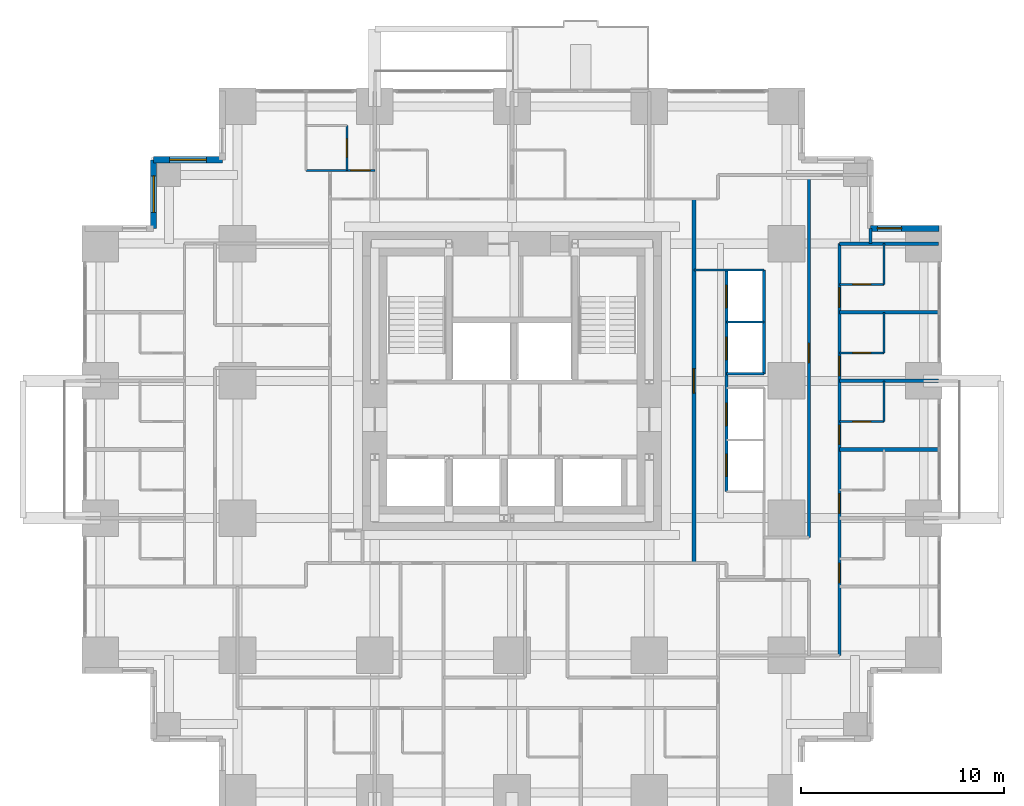
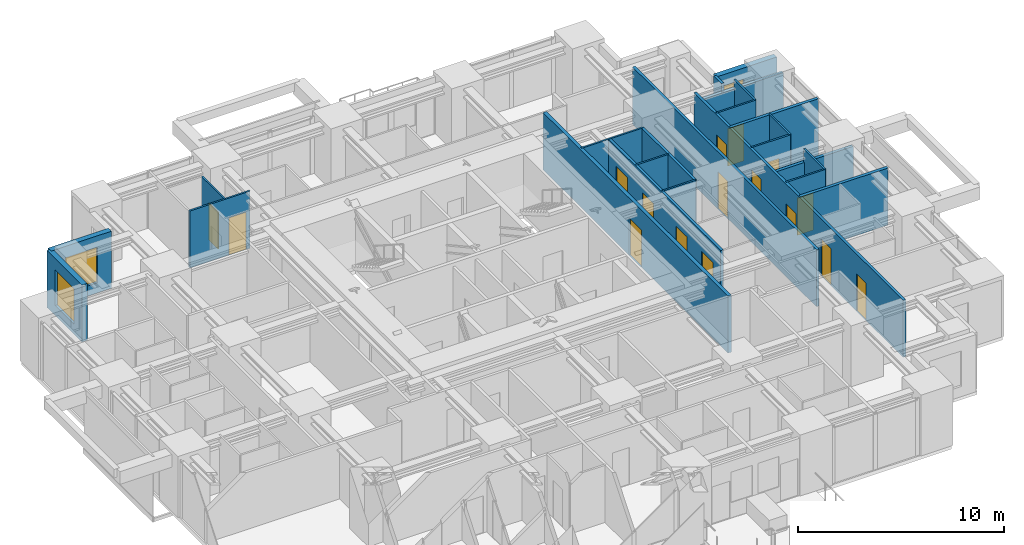
# One storey, part 10 of 12: 24 walls, 16 doors, 3 windows, 19 openings.
"""IFC4 building model written with IfcOpenShell, lengths in metres."""

import ifcopenshell
import ifcopenshell.guid

model = None  # the IFC model being written
_history = None  # IfcOwnerHistory: only IFC2X3 demands one
_inside = {}  # id of a spatial element -> (the spatial element, [elements in it])
_under = {}  # id of a project, library or spatial element -> (it, [spatial elements below it])
_declared = {}  # id of a project -> (the project, [libraries it declares])
_typed = {}  # id of a type object -> (the type object, [elements of that type])
_made_of = {}  # id of a material, layer set ... -> (it, [elements and type objects made of it])


def new_model(schema):
    """Start an empty IFC model of exactly this schema.

    Asked for "IFC4X3", IfcOpenShell would pick the latest addendum, in which some entities
    have other attributes; the version numbers below select the first issue.
    IFC2X3 requires an IfcOwnerHistory on every rooted entity: one is made here for all.
    """
    global model, _history
    if schema == "IFC4X3":
        model = ifcopenshell.file(schema_version=(4, 3, 0, 0))
    else:
        model = ifcopenshell.file(schema=schema)
    _inside.clear()
    _under.clear()
    _declared.clear()
    _typed.clear()
    _made_of.clear()
    _history = None
    if model.schema == "IFC2X3":
        org = make("IfcOrganization", Name="unknown")
        user = make(
            "IfcPersonAndOrganization",
            ThePerson=make("IfcPerson", FamilyName="unknown"),
            TheOrganization=org,
        )
        app = make(
            "IfcApplication",
            ApplicationDeveloper=org,
            Version="unknown",
            ApplicationFullName="unknown",
            ApplicationIdentifier="unknown",
        )
        _history = make(
            "IfcOwnerHistory",
            OwningUser=user,
            OwningApplication=app,
            ChangeAction="ADDED",
            CreationDate=0,
        )
    return model


def make(cls, **values):
    """One entity of the class cls with the attributes given. An attribute that is None is left unset."""
    return model.create_entity(
        cls, **{name: value for name, value in values.items() if value is not None}
    )


def rooted(cls, **values):
    """An entity with a GlobalId (a new one), such as an element, a storey or a relation."""
    return make(cls, GlobalId=ifcopenshell.guid.new(), OwnerHistory=_history, **values)


def si_unit(unit_type, name, prefix=None):
    """IfcSIUnit, for example si_unit("LENGTHUNIT", "METRE", prefix="MILLI")."""
    return make("IfcSIUnit", UnitType=unit_type, Prefix=prefix, Name=name)


def assignment(units):
    """IfcUnitAssignment: the units of a project."""
    return None if units is None else make("IfcUnitAssignment", Units=units)


def point(xyz):
    """IfcCartesianPoint."""
    return None if xyz is None else make("IfcCartesianPoint", Coordinates=xyz)


def direction(xyz):
    """IfcDirection."""
    return None if xyz is None else make("IfcDirection", DirectionRatios=xyz)


def frame(location, z_axis=None, x_axis=None):
    """IfcAxis2Placement3D, a coordinate frame: its origin and axes. An axis left out is left unset."""
    return make(
        "IfcAxis2Placement3D",
        Location=point(location),
        Axis=direction(z_axis),
        RefDirection=direction(x_axis),
    )


def frame_2d(location, x_axis=None):
    """IfcAxis2Placement2D, a coordinate frame in the plane: its origin and x axis."""
    return make(
        "IfcAxis2Placement2D", Location=point(location), RefDirection=direction(x_axis)
    )


def origin():
    """The frame at (0, 0, 0) with its axes left unset."""
    return frame((0.0, 0.0, 0.0))


def place(relative_to, where):
    """IfcLocalPlacement: puts the frame where relative to a parent placement (None: the world)."""
    return make(
        "IfcLocalPlacement", PlacementRelTo=relative_to, RelativePlacement=where
    )


def context(
    kind, dimensions, precision=None, world=None, true_north=None, identifier=None
):
    """IfcGeometricRepresentationContext, for example the 3D "Model" context."""
    return make(
        "IfcGeometricRepresentationContext",
        ContextIdentifier=identifier,
        ContextType=kind,
        CoordinateSpaceDimension=dimensions,
        Precision=precision,
        WorldCoordinateSystem=world,
        TrueNorth=true_north,
    )


def subcontext(parent, identifier, kind, view, scale=None):
    """IfcGeometricRepresentationSubContext, for example "Body" below "Model"."""
    return make(
        "IfcGeometricRepresentationSubContext",
        ContextIdentifier=identifier,
        ContextType=kind,
        ParentContext=parent,
        TargetScale=scale,
        TargetView=view,
    )


def project(units=None, contexts=None):
    """IfcProject with its units and contexts."""
    return rooted(
        "IfcProject",
        Name="project",
        RepresentationContexts=contexts,
        UnitsInContext=assignment(units),
    )


def spatial(cls, under=None, at=None, **own):
    """A site, building, storey or space (cls), placed at a placement, below another one or the project."""
    s = rooted(cls, ObjectPlacement=at, **own)
    if under is not None:
        _under.setdefault(under.id(), (under, []))[1].append(s)
    return s


def profile(cls, at=None, kind="AREA", **sizes):
    """A parametric profile (cls). Its sizes go by their IFC names, for example OverallWidth=200.0."""
    return make(cls, ProfileType=kind, Position=at, **sizes)


def rectangle(**sizes):
    """IfcRectangleProfileDef."""
    return profile("IfcRectangleProfileDef", **sizes)


def extrude(swept, where, along, depth):
    """IfcExtrudedAreaSolid: the profile swept, set in the frame where, extruded along a direction by depth."""
    return make(
        "IfcExtrudedAreaSolid",
        SweptArea=swept,
        Position=where,
        ExtrudedDirection=direction(along),
        Depth=depth,
    )


def shape(context_of_items, identifier, shape_type, items):
    """IfcShapeRepresentation: the items that make up one representation, for example the "Body"."""
    return make(
        "IfcShapeRepresentation",
        ContextOfItems=context_of_items,
        RepresentationIdentifier=identifier,
        RepresentationType=shape_type,
        Items=items,
    )


def material(Name=None, Category=None):
    """IfcMaterial."""
    return make("IfcMaterial", Name=Name, Category=Category)


def layer(
    of_material, thickness, ventilated=None, Name=None, Category=None, Priority=None
):
    """IfcMaterialLayer: one layer of a wall or slab, of a material (None: an air gap)."""
    return make(
        "IfcMaterialLayer",
        Material=of_material,
        LayerThickness=thickness,
        IsVentilated=ventilated,
        Name=Name,
        Category=Category,
        Priority=Priority,
    )


def layer_set(layers, Name=None):
    """IfcMaterialLayerSet."""
    return make("IfcMaterialLayerSet", MaterialLayers=layers, LayerSetName=Name)


def made_of(thing, what):
    """Note that an element or type object is made of a material, layer set ...; save() writes the relation."""
    if what is not None:
        _made_of.setdefault(what.id(), (what, []))[1].append(thing)
    return thing


def type_object(cls, material=None, **own):
    """A type object (cls), such as IfcWallType, which elements share."""
    return made_of(rooted(cls, **own), material)


def element(
    cls,
    number,
    at=None,
    inside=None,
    cuts=None,
    type_object=None,
    material=None,
    context=None,
    identifier="Body",
    shape_type=None,
    held_by="IfcProductDefinitionShape",
    body=None,
    shapes=None,
    **own,
):
    """One element of the class cls, such as IfcWall. Its Tag is "e" and its number.

    at: its placement. inside: the storey or other place that contains it. cuts: it is an
    opening in that element (IfcRelVoidsElement). A single representation is given by context,
    identifier, shape_type and body (its items); several are given by shapes. held_by: the class
    of the entity that holds the representations. save() writes the other relations.
    """
    e = rooted(cls, Tag="e%d" % number, ObjectPlacement=at, **own)
    if body is not None:
        shapes = [shape(context, identifier, shape_type, body)]
    if shapes is not None:
        e.Representation = make(held_by, Representations=shapes)
    if inside is not None:
        _inside.setdefault(inside.id(), (inside, []))[1].append(e)
    if cuts is not None:
        rooted(
            "IfcRelVoidsElement", RelatingBuildingElement=cuts, RelatedOpeningElement=e
        )
    if type_object is not None:
        _typed.setdefault(type_object.id(), (type_object, []))[1].append(e)
    return made_of(e, material)


def fill(opening, filler):
    """IfcRelFillsElement: the door or window that sits in an opening."""
    return rooted(
        "IfcRelFillsElement",
        RelatingOpeningElement=opening,
        RelatedBuildingElement=filler,
    )


def aggregate(whole, parts):
    """IfcRelAggregates: a whole, such as a stair, and the parts it consists of."""
    return rooted("IfcRelAggregates", RelatingObject=whole, RelatedObjects=parts)


def save(model, path):
    """Write the relations noted so far, then the file.

    IfcRelAggregates (storeys below a building ...), IfcRelContainedInSpatialStructure (elements
    in a storey), IfcRelDefinesByType, IfcRelAssociatesMaterial and IfcRelDeclares: one each for
    every whole, place, type object, material and project.
    """
    for whole, parts in _under.values():
        aggregate(whole, parts)
    for where, things in _inside.values():
        rooted(
            "IfcRelContainedInSpatialStructure",
            RelatedElements=things,
            RelatingStructure=where,
        )
    for kind, things in _typed.values():
        rooted("IfcRelDefinesByType", RelatedObjects=things, RelatingType=kind)
    for what, things in _made_of.values():
        rooted("IfcRelAssociatesMaterial", RelatedObjects=things, RelatingMaterial=what)
    for by, libraries in _declared.values():
        rooted("IfcRelDeclares", RelatingContext=by, RelatedDefinitions=libraries)
    model.write(path)


model = new_model("IFC4")

# Units and contexts
model_context = context("Model", 3, precision=1e-05, world=origin(), true_north=direction((0.0, 1.0)))
body_context = subcontext(model_context, "Body", "Model", "MODEL_VIEW")
ifc_project = project(units=[si_unit("LENGTHUNIT", "METRE"), si_unit("AREAUNIT", "SQUARE_METRE"), si_unit("VOLUMEUNIT", "CUBIC_METRE"), si_unit("PLANEANGLEUNIT", "RADIAN"), si_unit("MASSUNIT", "GRAM", prefix="KILO")], contexts=[model_context])

# Site, building, storey
site_placement = place(None, origin())
site = spatial("IfcSite", under=ifc_project, at=site_placement, CompositionType="ELEMENT")
building_placement = place(site_placement, origin())
building = spatial("IfcBuilding", under=site, at=building_placement, Name="Nyansa Garden Tower", CompositionType="ELEMENT")
storey_placement = place(building_placement, frame((0.0, 0.0, 98.10009765625)))
storey = spatial("IfcBuildingStorey", under=building, at=storey_placement, Name="L26", CompositionType="ELEMENT", Elevation=98.10009765625)

# Walls
ifc_material_1 = material(Name="Dense blockwork, plastered both sides, 55 dB", Category="masonry")
ifc_layer_1 = layer(ifc_material_1, 0.175048828125)
ifc_layer_set_1 = layer_set([ifc_layer_1], Name="Acoustic party wall PW175")
wall_type_1 = type_object("IfcWallType", Name="Acoustic party wall PW175", PredefinedType="PARTITIONING", material=ifc_layer_set_1)
wall_1_placement = place(storey_placement, frame((36.35009765625, 16.875, 0.0), z_axis=(0.0, 0.0, 1.0), x_axis=(1.0, 0.0, 0.0)))
element("IfcWall", 1, at=wall_1_placement, inside=storey, type_object=wall_type_1, Name="Party wall", PredefinedType="PARTITIONING", context=body_context, shape_type="SweptSolid", body=[
    extrude(rectangle(XDim=4.8837890625, YDim=0.175048828125, at=frame_2d((2.44189453125, 0.0))), origin(), (0.0, 0.0, 1.0), 3.375),
])
wall_2_placement = place(storey_placement, frame((36.35009765625, 20.25, 0.0), z_axis=(0.0, 0.0, 1.0), x_axis=(1.0, 0.0, 0.0)))
element("IfcWall", 2, at=wall_2_placement, inside=storey, type_object=wall_type_1, Name="Party wall", PredefinedType="PARTITIONING", context=body_context, shape_type="SweptSolid", body=[
    extrude(rectangle(XDim=4.8837890625, YDim=0.175048828125, at=frame_2d((2.44189453125, 0.0))), origin(), (0.0, 0.0, 1.0), 2.60986328125),
])
wall_3_placement = place(storey_placement, frame((36.35009765625, 23.625, 0.0), z_axis=(0.0, 0.0, 1.0), x_axis=(1.0, 0.0, 0.0)))
element("IfcWall", 3, at=wall_3_placement, inside=storey, type_object=wall_type_1, Name="Party wall", PredefinedType="PARTITIONING", context=body_context, shape_type="SweptSolid", body=[
    extrude(rectangle(XDim=4.8837890625, YDim=0.175048828125, at=frame_2d((2.44189453125, 0.0))), origin(), (0.0, 0.0, 1.0), 3.375),
])
wall_4_placement = place(storey_placement, frame((36.35009765625, 27.0, 0.0), z_axis=(0.0, 0.0, 1.0), x_axis=(1.0, 0.0, 0.0)))
element("IfcWall", 4, at=wall_4_placement, inside=storey, type_object=wall_type_1, Name="Party wall", PredefinedType="PARTITIONING", context=body_context, shape_type="SweptSolid", body=[
    extrude(rectangle(XDim=4.8837890625, YDim=0.175048828125, at=frame_2d((2.44189453125, 0.0))), origin(), (0.0, 0.0, 1.0), 2.876953125),
])

# Wall, opening, door
ifc_material_2 = material(Name="Concrete blockwork, plastered, 60 minute fire resisting", Category="masonry")
ifc_layer_2 = layer(ifc_material_2, 0.199951171875)
ifc_layer_set_2 = layer_set([ifc_layer_2], Name="Corridor wall FW200")
wall_type_2 = type_object("IfcWallType", Name="Corridor wall FW200", PredefinedType="PARTITIONING", material=ifc_layer_set_2)
wall_5_placement = place(storey_placement, frame((29.199951171875, 11.300048828125, 0.0), z_axis=(0.0, 0.0, 1.0), x_axis=(0.0, 1.0, 0.0)))
wall_5 = element("IfcWall", 5, at=wall_5_placement, inside=storey, type_object=wall_type_2, Name="Corridor wall", PredefinedType="PARTITIONING", context=body_context, shape_type="SweptSolid", body=[
    extrude(rectangle(XDim=17.89990234375, YDim=0.199951171875, at=frame_2d((8.949951171875, 0.0))), origin(), (0.0, 0.0, 1.0), 3.375),
])
opening_1_placement = place(wall_5_placement, frame((8.35009765625, 0.0, 0.0)))
opening_1 = element("IfcOpeningElement", 6, at=opening_1_placement, cuts=wall_5, Name="Opening D06", PredefinedType="OPENING", context=body_context, shape_type="SweptSolid", body=[
    extrude(rectangle(XDim=1.199951171875, YDim=2.199951171875, at=frame_2d((0.60009765625, 1.10009765625))), frame((0.0, 0.10986328125, 0.0), z_axis=(0.0, -1.0, 0.0), x_axis=(1.0, 0.0, 0.0)), (0.0, 0.0, 1.0), 0.219970703125),
])
ifc_material_3 = material(Name="Steel door, 120 minute fire resisting", Category="steel")
door_type_1 = type_object("IfcDoorType", Name="Lobby door D06 1200x2200", OperationType="DOUBLE_DOOR_SINGLE_SWING", PredefinedType="DOOR", material=ifc_material_3)
door_1_placement = place(opening_1_placement, origin())
door_1 = element("IfcDoor", 7, at=door_1_placement, inside=storey, type_object=door_type_1, Name="Low-rise lift lobby door", OperationType="DOUBLE_DOOR_SINGLE_SWING", OverallHeight=2.199951171875, OverallWidth=1.199951171875, PredefinedType="DOOR", context=body_context, shape_type="SweptSolid", body=[
    extrude(rectangle(XDim=1.199951171875, YDim=2.199951171875, at=frame_2d((0.60009765625, 1.10009765625))), frame((0.0, 0.02490234375, 0.0), z_axis=(0.0, -1.0, 0.0), x_axis=(1.0, 0.0, 0.0)), (0.0, 0.0, 1.0), 0.050048828125),
])
fill(opening_1, door_1)

# Walls
ifc_material_4 = material(Name="Steel-stud shaft wall, two layers fire-rated board, EI 120", Category="steel")
ifc_layer_3 = layer(ifc_material_4, 0.10009765625)
ifc_layer_set_3 = layer_set([ifc_layer_3], Name="Lift shaft wall SW100")
wall_type_3 = type_object("IfcWallType", Name="Lift shaft wall SW100", PredefinedType="SHEAR", material=ifc_layer_set_3)
wall_6_placement = place(storey_placement, frame((29.199951171875, 25.699951171875, 0.0), z_axis=(0.0, 0.0, 1.0), x_axis=(1.0, 0.0, 0.0)))
element("IfcWall", 8, at=wall_6_placement, inside=storey, type_object=wall_type_3, Name="Lift shaft wall", PredefinedType="SHEAR", context=body_context, shape_type="SweptSolid", body=[
    extrude(rectangle(XDim=3.449951171875, YDim=0.10009765625, at=frame_2d((1.72509765625, 0.0))), origin(), (0.0, 0.0, 1.0), 3.375),
])
for number, where, z_axis, x_axis, name in (
    (9, (30.800048828125, 20.60009765625, 0.0), (0.0, 0.0, 1.0), (1.0, 0.0, 0.0), "Lift shaft wall"),
    (10, (30.800048828125, 23.14990234375, 0.0), (0.0, 0.0, 1.0), (1.0, 0.0, 0.0), "Lift shaft wall"),
):
    element("IfcWall", number, at=place(storey_placement, frame(where, z_axis=z_axis, x_axis=x_axis)), inside=storey, type_object=wall_type_3, Name=name, PredefinedType="SHEAR", context=body_context, shape_type="SweptSolid", body=[
        extrude(rectangle(XDim=1.849853515625, YDim=0.10009765625, at=frame_2d((0.9248046875, 0.0))), origin(), (0.0, 0.0, 1.0), 3.375),
    ])

# Wall, openings, doors
ifc_material_5 = material(Name="Blockwork, plastered both sides", Category="masonry")
ifc_layer_4 = layer(ifc_material_5, 0.14990234375)
ifc_layer_set_4 = layer_set([ifc_layer_4], Name="Partition PW150")
wall_type_4 = type_object("IfcWallType", Name="Partition PW150", PredefinedType="PARTITIONING", material=ifc_layer_set_4)
wall_7_placement = place(storey_placement, frame((30.800048828125, 14.800048828125, 0.0), z_axis=(0.0, 0.0, 1.0), x_axis=(0.0, 1.0, 0.0)))
wall_7 = element("IfcWall", 11, at=wall_7_placement, inside=storey, type_object=wall_type_4, Name="Partition", PredefinedType="PARTITIONING", context=body_context, shape_type="SweptSolid", body=[
    extrude(rectangle(XDim=10.89990234375, YDim=0.14990234375, at=frame_2d((5.449951171875, 0.0))), origin(), (0.0, 0.0, 1.0), 3.375),
])
opening_2_placement = place(wall_7_placement, frame((0.75, 0.0, 0.0)))
opening_2 = element("IfcOpeningElement", 12, at=opening_2_placement, cuts=wall_7, Name="Opening LD-A", PredefinedType="OPENING", context=body_context, shape_type="SweptSolid", body=[
    extrude(rectangle(XDim=1.10009765625, YDim=2.199951171875, at=frame_2d((0.550048828125, 1.10009765625))), frame((0.0, 0.0849609375, 0.0), z_axis=(0.0, -1.0, 0.0), x_axis=(1.0, 0.0, 0.0)), (0.0, 0.0, 1.0), 0.169921875),
])
opening_3_placement = place(wall_7_placement, frame((3.25, 0.0, 0.0)))
opening_3 = element("IfcOpeningElement", 13, at=opening_3_placement, cuts=wall_7, Name="Opening LD-A", PredefinedType="OPENING", context=body_context, shape_type="SweptSolid", body=[
    extrude(rectangle(XDim=1.10009765625, YDim=2.199951171875, at=frame_2d((0.550048828125, 1.10009765625))), frame((0.0, 0.0849609375, 0.0), z_axis=(0.0, -1.0, 0.0), x_axis=(1.0, 0.0, 0.0)), (0.0, 0.0, 1.0), 0.169921875),
])
opening_4_placement = place(wall_7_placement, frame((6.5, 0.0, 0.0)))
opening_4 = element("IfcOpeningElement", 14, at=opening_4_placement, cuts=wall_7, Name="Opening LD-A", PredefinedType="OPENING", context=body_context, shape_type="SweptSolid", body=[
    extrude(rectangle(XDim=1.10009765625, YDim=2.199951171875, at=frame_2d((0.550048828125, 1.10009765625))), frame((0.0, 0.0849609375, 0.0), z_axis=(0.0, -1.0, 0.0), x_axis=(1.0, 0.0, 0.0)), (0.0, 0.0, 1.0), 0.169921875),
])
opening_5_placement = place(wall_7_placement, frame((9.050048828125, 0.0, 0.0)))
opening_5 = element("IfcOpeningElement", 15, at=opening_5_placement, cuts=wall_7, Name="Opening LD-A", PredefinedType="OPENING", context=body_context, shape_type="SweptSolid", body=[
    extrude(rectangle(XDim=1.10009765625, YDim=2.199951171875, at=frame_2d((0.550048828125, 1.10009765625))), frame((0.0, 0.0849609375, 0.0), z_axis=(0.0, -1.0, 0.0), x_axis=(1.0, 0.0, 0.0)), (0.0, 0.0, 1.0), 0.169921875),
])
ifc_material_6 = material(Name="Stainless steel centre-opening landing door of the low-rise lift, E 120", Category="steel")
door_type_2 = type_object("IfcDoorType", Name="Lift landing door LD-A 1100x2200", OperationType="DOUBLE_DOOR_SLIDING", PredefinedType="DOOR", material=ifc_material_6)
door_2_placement = place(opening_2_placement, origin())
door_2 = element("IfcDoor", 16, at=door_2_placement, inside=storey, type_object=door_type_2, Name="Landing door A1", OperationType="DOUBLE_DOOR_SLIDING", OverallHeight=2.199951171875, OverallWidth=1.10009765625, PredefinedType="DOOR", context=body_context, shape_type="SweptSolid", body=[
    extrude(rectangle(XDim=1.10009765625, YDim=2.199951171875, at=frame_2d((0.550048828125, 1.10009765625))), frame((0.0, 0.02490234375, 0.0), z_axis=(0.0, -1.0, 0.0), x_axis=(1.0, 0.0, 0.0)), (0.0, 0.0, 1.0), 0.050048828125),
])
fill(opening_2, door_2)
door_3_placement = place(opening_3_placement, origin())
door_3 = element("IfcDoor", 17, at=door_3_placement, inside=storey, type_object=door_type_2, Name="Landing door A2", OperationType="DOUBLE_DOOR_SLIDING", OverallHeight=2.199951171875, OverallWidth=1.10009765625, PredefinedType="DOOR", context=body_context, shape_type="SweptSolid", body=[
    extrude(rectangle(XDim=1.10009765625, YDim=2.199951171875, at=frame_2d((0.550048828125, 1.10009765625))), frame((0.0, 0.02490234375, 0.0), z_axis=(0.0, -1.0, 0.0), x_axis=(1.0, 0.0, 0.0)), (0.0, 0.0, 1.0), 0.050048828125),
])
fill(opening_3, door_3)
door_4_placement = place(opening_4_placement, origin())
door_4 = element("IfcDoor", 18, at=door_4_placement, inside=storey, type_object=door_type_2, Name="Landing door A3", OperationType="DOUBLE_DOOR_SLIDING", OverallHeight=2.199951171875, OverallWidth=1.10009765625, PredefinedType="DOOR", context=body_context, shape_type="SweptSolid", body=[
    extrude(rectangle(XDim=1.10009765625, YDim=2.199951171875, at=frame_2d((0.550048828125, 1.10009765625))), frame((0.0, 0.02490234375, 0.0), z_axis=(0.0, -1.0, 0.0), x_axis=(1.0, 0.0, 0.0)), (0.0, 0.0, 1.0), 0.050048828125),
])
fill(opening_4, door_4)
door_5_placement = place(opening_5_placement, origin())
door_5 = element("IfcDoor", 19, at=door_5_placement, inside=storey, type_object=door_type_2, Name="Landing door A4", OperationType="DOUBLE_DOOR_SLIDING", OverallHeight=2.199951171875, OverallWidth=1.10009765625, PredefinedType="DOOR", context=body_context, shape_type="SweptSolid", body=[
    extrude(rectangle(XDim=1.10009765625, YDim=2.199951171875, at=frame_2d((0.550048828125, 1.10009765625))), frame((0.0, 0.02490234375, 0.0), z_axis=(0.0, -1.0, 0.0), x_axis=(1.0, 0.0, 0.0)), (0.0, 0.0, 1.0), 0.050048828125),
])
fill(opening_5, door_5)

# Wall
wall_8_placement = place(storey_placement, frame((32.64990234375, 20.60009765625, 0.0), z_axis=(0.0, 0.0, 1.0), x_axis=(0.0, 1.0, 0.0)))
element("IfcWall", 20, at=wall_8_placement, inside=storey, type_object=wall_type_4, Name="Partition", PredefinedType="PARTITIONING", context=body_context, shape_type="SweptSolid", body=[
    extrude(rectangle(XDim=5.099853515625, YDim=0.14990234375, at=frame_2d((2.5498046875, 0.0))), origin(), (0.0, 0.0, 1.0), 3.375),
])

# Wall, opening, door
wall_9_placement = place(storey_placement, frame((34.85009765625, 12.550048828125, 0.0), z_axis=(0.0, 0.0, 1.0), x_axis=(0.0, 1.0, 0.0)))
wall_9 = element("IfcWall", 21, at=wall_9_placement, inside=storey, type_object=wall_type_4, Name="Partition", PredefinedType="PARTITIONING", context=body_context, shape_type="SweptSolid", body=[
    extrude(rectangle(XDim=17.824951171875, YDim=0.14990234375, at=frame_2d((8.91259765625, 0.0))), origin(), (0.0, 0.0, 1.0), 3.375),
])
opening_6_placement = place(wall_9_placement, frame((8.60009765625, 0.0, 0.0)))
opening_6 = element("IfcOpeningElement", 22, at=opening_6_placement, cuts=wall_9, Name="Opening D01", PredefinedType="OPENING", context=body_context, shape_type="SweptSolid", body=[
    extrude(rectangle(XDim=0.949951171875, YDim=2.199951171875, at=frame_2d((0.47509765625, 1.10009765625))), frame((0.0, 0.0849609375, 0.0), z_axis=(0.0, -1.0, 0.0), x_axis=(1.0, 0.0, 0.0)), (0.0, 0.0, 1.0), 0.169921875),
])
ifc_material_7 = material(Name="Timber flush door, 30 minute fire resisting", Category="wood")
door_type_3 = type_object("IfcDoorType", Name="Bedroom door D01 950x2200", OperationType="SINGLE_SWING_LEFT", PredefinedType="DOOR", material=ifc_material_7)
door_6_placement = place(opening_6_placement, origin())
door_6 = element("IfcDoor", 23, at=door_6_placement, inside=storey, type_object=door_type_3, Name="Door L26-044", OperationType="SINGLE_SWING_LEFT", OverallHeight=2.199951171875, OverallWidth=0.949951171875, PredefinedType="DOOR", context=body_context, shape_type="SweptSolid", body=[
    extrude(rectangle(XDim=0.949951171875, YDim=2.199951171875, at=frame_2d((0.47509765625, 1.10009765625))), frame((0.0, 0.02490234375, 0.0), z_axis=(0.0, -1.0, 0.0), x_axis=(1.0, 0.0, 0.0)), (0.0, 0.0, 1.0), 0.050048828125),
])
fill(opening_6, door_6)

# Wall, openings, doors
wall_10_placement = place(storey_placement, frame((36.35009765625, 6.75, 0.0), z_axis=(0.0, 0.0, 1.0), x_axis=(0.0, 1.0, 0.0)))
wall_10 = element("IfcWall", 24, at=wall_10_placement, inside=storey, type_object=wall_type_4, Name="Partition", PredefinedType="PARTITIONING", context=body_context, shape_type="SweptSolid", body=[
    extrude(rectangle(XDim=20.25, YDim=0.14990234375, at=frame_2d((10.125, 0.0))), origin(), (0.0, 0.0, 1.0), 3.375),
])
opening_7_placement = place(wall_10_placement, frame((3.574951171875, 0.0, 0.0)))
opening_7 = element("IfcOpeningElement", 25, at=opening_7_placement, cuts=wall_10, Name="Opening D14", PredefinedType="OPENING", context=body_context, shape_type="SweptSolid", body=[
    extrude(rectangle(XDim=0.949951171875, YDim=2.199951171875, at=frame_2d((0.47509765625, 1.10009765625))), frame((0.0, 0.0849609375, 0.0), z_axis=(0.0, -1.0, 0.0), x_axis=(1.0, 0.0, 0.0)), (0.0, 0.0, 1.0), 0.169921875),
])
opening_8_placement = place(wall_10_placement, frame((7.0, 0.0, 0.0)))
opening_8 = element("IfcOpeningElement", 26, at=opening_8_placement, cuts=wall_10, Name="Opening D14", PredefinedType="OPENING", context=body_context, shape_type="SweptSolid", body=[
    extrude(rectangle(XDim=0.949951171875, YDim=2.199951171875, at=frame_2d((0.47509765625, 1.10009765625))), frame((0.0, 0.0849609375, 0.0), z_axis=(0.0, -1.0, 0.0), x_axis=(1.0, 0.0, 0.0)), (0.0, 0.0, 1.0), 0.169921875),
])
opening_9_placement = place(wall_10_placement, frame((10.375, 0.0, 0.0)))
opening_9 = element("IfcOpeningElement", 27, at=opening_9_placement, cuts=wall_10, Name="Opening D14", PredefinedType="OPENING", context=body_context, shape_type="SweptSolid", body=[
    extrude(rectangle(XDim=0.949951171875, YDim=2.199951171875, at=frame_2d((0.47509765625, 1.10009765625))), frame((0.0, 0.0849609375, 0.0), z_axis=(0.0, -1.0, 0.0), x_axis=(1.0, 0.0, 0.0)), (0.0, 0.0, 1.0), 0.169921875),
])
opening_10_placement = place(wall_10_placement, frame((13.75, 0.0, 0.0)))
opening_10 = element("IfcOpeningElement", 28, at=opening_10_placement, cuts=wall_10, Name="Opening D14", PredefinedType="OPENING", context=body_context, shape_type="SweptSolid", body=[
    extrude(rectangle(XDim=0.949951171875, YDim=2.199951171875, at=frame_2d((0.47509765625, 1.10009765625))), frame((0.0, 0.0849609375, 0.0), z_axis=(0.0, -1.0, 0.0), x_axis=(1.0, 0.0, 0.0)), (0.0, 0.0, 1.0), 0.169921875),
])
opening_11_placement = place(wall_10_placement, frame((17.125, 0.0, 0.0)))
opening_11 = element("IfcOpeningElement", 29, at=opening_11_placement, cuts=wall_10, Name="Opening D14", PredefinedType="OPENING", context=body_context, shape_type="SweptSolid", body=[
    extrude(rectangle(XDim=0.949951171875, YDim=2.199951171875, at=frame_2d((0.47509765625, 1.10009765625))), frame((0.0, 0.0849609375, 0.0), z_axis=(0.0, -1.0, 0.0), x_axis=(1.0, 0.0, 0.0)), (0.0, 0.0, 1.0), 0.169921875),
])
ifc_material_8 = material(Name="Timber flush door, 60 minute fire resisting, self-closing", Category="wood")
door_type_4 = type_object("IfcDoorType", Name="Studio entrance door D14 950x2200", OperationType="SINGLE_SWING_LEFT", PredefinedType="DOOR", material=ifc_material_8)
door_7_placement = place(opening_7_placement, origin())
door_7 = element("IfcDoor", 30, at=door_7_placement, inside=storey, type_object=door_type_4, Name="Door L26-033", OperationType="SINGLE_SWING_LEFT", OverallHeight=2.199951171875, OverallWidth=0.949951171875, PredefinedType="DOOR", context=body_context, shape_type="SweptSolid", body=[
    extrude(rectangle(XDim=0.949951171875, YDim=2.199951171875, at=frame_2d((0.47509765625, 1.10009765625))), frame((0.0, 0.02490234375, 0.0), z_axis=(0.0, -1.0, 0.0), x_axis=(1.0, 0.0, 0.0)), (0.0, 0.0, 1.0), 0.050048828125),
])
fill(opening_7, door_7)
door_8_placement = place(opening_8_placement, origin())
door_8 = element("IfcDoor", 31, at=door_8_placement, inside=storey, type_object=door_type_4, Name="Door L26-035", OperationType="SINGLE_SWING_LEFT", OverallHeight=2.199951171875, OverallWidth=0.949951171875, PredefinedType="DOOR", context=body_context, shape_type="SweptSolid", body=[
    extrude(rectangle(XDim=0.949951171875, YDim=2.199951171875, at=frame_2d((0.47509765625, 1.10009765625))), frame((0.0, 0.02490234375, 0.0), z_axis=(0.0, -1.0, 0.0), x_axis=(1.0, 0.0, 0.0)), (0.0, 0.0, 1.0), 0.050048828125),
])
fill(opening_8, door_8)
door_9_placement = place(opening_9_placement, origin())
door_9 = element("IfcDoor", 32, at=door_9_placement, inside=storey, type_object=door_type_4, Name="Door L26-037", OperationType="SINGLE_SWING_LEFT", OverallHeight=2.199951171875, OverallWidth=0.949951171875, PredefinedType="DOOR", context=body_context, shape_type="SweptSolid", body=[
    extrude(rectangle(XDim=0.949951171875, YDim=2.199951171875, at=frame_2d((0.47509765625, 1.10009765625))), frame((0.0, 0.02490234375, 0.0), z_axis=(0.0, -1.0, 0.0), x_axis=(1.0, 0.0, 0.0)), (0.0, 0.0, 1.0), 0.050048828125),
])
fill(opening_9, door_9)
door_10_placement = place(opening_10_placement, origin())
door_10 = element("IfcDoor", 33, at=door_10_placement, inside=storey, type_object=door_type_4, Name="Door L26-039", OperationType="SINGLE_SWING_LEFT", OverallHeight=2.199951171875, OverallWidth=0.949951171875, PredefinedType="DOOR", context=body_context, shape_type="SweptSolid", body=[
    extrude(rectangle(XDim=0.949951171875, YDim=2.199951171875, at=frame_2d((0.47509765625, 1.10009765625))), frame((0.0, 0.02490234375, 0.0), z_axis=(0.0, -1.0, 0.0), x_axis=(1.0, 0.0, 0.0)), (0.0, 0.0, 1.0), 0.050048828125),
])
fill(opening_10, door_10)
door_11_placement = place(opening_11_placement, origin())
door_11 = element("IfcDoor", 34, at=door_11_placement, inside=storey, type_object=door_type_4, Name="Door L26-041", OperationType="SINGLE_SWING_LEFT", OverallHeight=2.199951171875, OverallWidth=0.949951171875, PredefinedType="DOOR", context=body_context, shape_type="SweptSolid", body=[
    extrude(rectangle(XDim=0.949951171875, YDim=2.199951171875, at=frame_2d((0.47509765625, 1.10009765625))), frame((0.0, 0.02490234375, 0.0), z_axis=(0.0, -1.0, 0.0), x_axis=(1.0, 0.0, 0.0)), (0.0, 0.0, 1.0), 0.050048828125),
])
fill(opening_11, door_11)

# Wall
wall_11_placement = place(storey_placement, frame((37.875, 27.0, 0.0), z_axis=(0.0, 0.0, 1.0), x_axis=(0.0, 1.0, 0.0)))
element("IfcWall", 35, at=wall_11_placement, inside=storey, type_object=wall_type_4, Name="Partition", PredefinedType="PARTITIONING", context=body_context, shape_type="SweptSolid", body=[
    extrude(rectangle(XDim=0.73388671875, YDim=0.14990234375, at=frame_2d((0.366943359375, 0.0))), origin(), (0.0, 0.0, 1.0), 3.375),
])

# Wall, opening, window
ifc_material_9 = material(Name="Turquoise glazed tile on concrete blockwork", Category="masonry")
ifc_layer_5 = layer(ifc_material_9, 0.300048828125)
ifc_layer_set_5 = layer_set([ifc_layer_5], Name="Tiled corner wall TW300")
wall_type_5 = type_object("IfcWallType", Name="Tiled corner wall TW300", PredefinedType="SOLIDWALL", material=ifc_layer_set_5)
wall_12_placement = place(storey_placement, frame((41.25, 27.75, 0.0), z_axis=(0.0, 0.0, 1.0), x_axis=(-1.0, 0.0, 0.0)))
wall_12 = element("IfcWall", 36, at=wall_12_placement, inside=storey, type_object=wall_type_5, Name="Tiled corner wall L26", PredefinedType="SOLIDWALL", context=body_context, shape_type="SweptSolid", body=[
    extrude(rectangle(XDim=3.375, YDim=0.300048828125, at=frame_2d((1.6875, 0.0))), origin(), (0.0, 0.0, 1.0), 3.375),
])
opening_12_placement = place(wall_12_placement, frame((1.83251953125, 0.0, 0.89990234375)))
opening_12 = element("IfcOpeningElement", 37, at=opening_12_placement, cuts=wall_12, Name="Opening W4", PredefinedType="OPENING", context=body_context, shape_type="SweptSolid", body=[
    extrude(rectangle(XDim=1.199951171875, YDim=1.800048828125, at=frame_2d((0.60009765625, 0.89990234375))), frame((0.0, 0.159912109375, 0.0), z_axis=(0.0, -1.0, 0.0), x_axis=(1.0, 0.0, 0.0)), (0.0, 0.0, 1.0), 0.320068359375),
])
ifc_material_10 = material(Name="Black aluminium frame, dark tinted double glazing", Category="aluminium")
window_type_1 = type_object("IfcWindowType", Name="Window W4 1200x1800", PartitioningType="SINGLE_PANEL", PredefinedType="WINDOW", material=ifc_material_10)
window_1_placement = place(opening_12_placement, origin())
window_1 = element("IfcWindow", 38, at=window_1_placement, inside=storey, type_object=window_type_1, Name="Corner window L26", OverallHeight=1.800048828125, OverallWidth=1.199951171875, PartitioningType="SINGLE_PANEL", PredefinedType="WINDOW", context=body_context, shape_type="SweptSolid", body=[
    extrude(rectangle(XDim=1.199951171875, YDim=1.800048828125, at=frame_2d((0.60009765625, 0.89990234375))), frame((0.0, 0.030029296875, 0.0), z_axis=(0.0, -1.0, 0.0), x_axis=(1.0, 0.0, 0.0)), (0.0, 0.0, 1.0), 0.06005859375),
])
fill(opening_12, window_1)

wall_13_placement = place(storey_placement, frame((6.0, 31.125, 0.0), z_axis=(0.0, 0.0, 1.0), x_axis=(-1.0, 0.0, 0.0)))
wall_13 = element("IfcWall", 39, at=wall_13_placement, inside=storey, type_object=wall_type_5, Name="Tiled corner wall L26", PredefinedType="SOLIDWALL", context=body_context, shape_type="SweptSolid", body=[
    extrude(rectangle(XDim=3.375, YDim=0.300048828125, at=frame_2d((1.6875, 0.0))), origin(), (0.0, 0.0, 1.0), 3.375),
])
opening_13_placement = place(wall_13_placement, frame((0.78759765625, 0.0, 0.60009765625)))
opening_13 = element("IfcOpeningElement", 40, at=opening_13_placement, cuts=wall_13, Name="Opening W2", PredefinedType="OPENING", context=body_context, shape_type="SweptSolid", body=[
    extrude(rectangle(XDim=1.800048828125, YDim=2.10009765625, at=frame_2d((0.89990234375, 1.050048828125))), frame((0.0, 0.159912109375, 0.0), z_axis=(0.0, -1.0, 0.0), x_axis=(1.0, 0.0, 0.0)), (0.0, 0.0, 1.0), 0.320068359375),
])
ifc_material_11 = material(Name="Black aluminium frame, dark tinted double glazing", Category="aluminium")
window_type_2 = type_object("IfcWindowType", Name="Window W2 1800x2100", PartitioningType="SINGLE_PANEL", PredefinedType="WINDOW", material=ifc_material_11)
window_2_placement = place(opening_13_placement, origin())
window_2 = element("IfcWindow", 41, at=window_2_placement, inside=storey, type_object=window_type_2, Name="Corner window L26", OverallHeight=2.10009765625, OverallWidth=1.800048828125, PartitioningType="SINGLE_PANEL", PredefinedType="WINDOW", context=body_context, shape_type="SweptSolid", body=[
    extrude(rectangle(XDim=1.800048828125, YDim=2.10009765625, at=frame_2d((0.89990234375, 1.050048828125))), frame((0.0, 0.030029296875, 0.0), z_axis=(0.0, -1.0, 0.0), x_axis=(1.0, 0.0, 0.0)), (0.0, 0.0, 1.0), 0.06005859375),
])
fill(opening_13, window_2)

wall_14_placement = place(storey_placement, frame((2.625, 31.125, 0.0), z_axis=(0.0, 0.0, 1.0), x_axis=(0.0, -1.0, 0.0)))
wall_14 = element("IfcWall", 42, at=wall_14_placement, inside=storey, type_object=wall_type_5, Name="Tiled corner wall L26", PredefinedType="SOLIDWALL", context=body_context, shape_type="SweptSolid", body=[
    extrude(rectangle(XDim=3.375, YDim=0.300048828125, at=frame_2d((1.6875, 0.0))), origin(), (0.0, 0.0, 1.0), 3.375),
])
opening_14_placement = place(wall_14_placement, frame((0.78759765625, 0.0, 0.60009765625)))
opening_14 = element("IfcOpeningElement", 43, at=opening_14_placement, cuts=wall_14, Name="Opening W2", PredefinedType="OPENING", context=body_context, shape_type="SweptSolid", body=[
    extrude(rectangle(XDim=1.800048828125, YDim=2.10009765625, at=frame_2d((0.89990234375, 1.050048828125))), frame((0.0, 0.159912109375, 0.0), z_axis=(0.0, -1.0, 0.0), x_axis=(1.0, 0.0, 0.0)), (0.0, 0.0, 1.0), 0.320068359375),
])
window_3_placement = place(opening_14_placement, origin())
window_3 = element("IfcWindow", 44, at=window_3_placement, inside=storey, type_object=window_type_2, Name="Corner window L26", OverallHeight=2.10009765625, OverallWidth=1.800048828125, PartitioningType="SINGLE_PANEL", PredefinedType="WINDOW", context=body_context, shape_type="SweptSolid", body=[
    extrude(rectangle(XDim=1.800048828125, YDim=2.10009765625, at=frame_2d((0.89990234375, 1.050048828125))), frame((0.0, 0.030029296875, 0.0), z_axis=(0.0, -1.0, 0.0), x_axis=(1.0, 0.0, 0.0)), (0.0, 0.0, 1.0), 0.06005859375),
])
fill(opening_14, window_3)

# Wall, opening, door
ifc_material_12 = material(Name="Moisture resistant board on steel studs, tiled", Category="steel")
ifc_layer_6 = layer(ifc_material_12, 0.10009765625)
ifc_layer_set_6 = layer_set([ifc_layer_6], Name="Wet wall PW100")
wall_type_6 = type_object("IfcWallType", Name="Wet wall PW100", PredefinedType="PARTITIONING", material=ifc_layer_set_6)
wall_15_placement = place(storey_placement, frame((10.125, 30.60009765625, 0.0), z_axis=(0.0, 0.0, 1.0), x_axis=(1.0, 0.0, 0.0)))
wall_15 = element("IfcWall", 45, at=wall_15_placement, inside=storey, type_object=wall_type_6, Name="Wet wall", PredefinedType="PARTITIONING", context=body_context, shape_type="SweptSolid", body=[
    extrude(rectangle(XDim=3.375, YDim=0.10009765625, at=frame_2d((1.6875, 0.0))), origin(), (0.0, 0.0, 1.0), 3.375),
])
opening_15_placement = place(wall_15_placement, frame((2.199951171875, 0.0, 0.0)))
opening_15 = element("IfcOpeningElement", 46, at=opening_15_placement, cuts=wall_15, Name="Opening D14", PredefinedType="OPENING", context=body_context, shape_type="SweptSolid", body=[
    extrude(rectangle(XDim=0.949951171875, YDim=2.199951171875, at=frame_2d((0.47509765625, 1.10009765625))), frame((0.0, 0.06005859375, 0.0), z_axis=(0.0, -1.0, 0.0), x_axis=(1.0, 0.0, 0.0)), (0.0, 0.0, 1.0), 0.1201171875),
])
door_12_placement = place(opening_15_placement, origin())
door_12 = element("IfcDoor", 47, at=door_12_placement, inside=storey, type_object=door_type_4, Name="Door L26-051", OperationType="SINGLE_SWING_LEFT", OverallHeight=2.199951171875, OverallWidth=0.949951171875, PredefinedType="DOOR", context=body_context, shape_type="SweptSolid", body=[
    extrude(rectangle(XDim=0.949951171875, YDim=2.199951171875, at=frame_2d((0.47509765625, 1.10009765625))), frame((0.0, 0.02490234375, 0.0), z_axis=(0.0, -1.0, 0.0), x_axis=(1.0, 0.0, 0.0)), (0.0, 0.0, 1.0), 0.050048828125),
])
fill(opening_15, door_12)

wall_16_placement = place(storey_placement, frame((12.125, 30.60009765625, 0.0), z_axis=(0.0, 0.0, 1.0), x_axis=(0.0, 1.0, 0.0)))
wall_16 = element("IfcWall", 48, at=wall_16_placement, inside=storey, type_object=wall_type_6, Name="Wet wall", PredefinedType="PARTITIONING", context=body_context, shape_type="SweptSolid", body=[
    extrude(rectangle(XDim=2.199951171875, YDim=0.10009765625, at=frame_2d((1.10009765625, 0.0))), origin(), (0.0, 0.0, 1.0), 3.375),
])
opening_16_placement = place(wall_16_placement, frame((0.64990234375, 0.0, 0.0)))
opening_16 = element("IfcOpeningElement", 49, at=opening_16_placement, cuts=wall_16, Name="Opening D02", PredefinedType="OPENING", context=body_context, shape_type="SweptSolid", body=[
    extrude(rectangle(XDim=0.89990234375, YDim=2.199951171875, at=frame_2d((0.449951171875, 1.10009765625))), frame((0.0, 0.06005859375, 0.0), z_axis=(0.0, -1.0, 0.0), x_axis=(1.0, 0.0, 0.0)), (0.0, 0.0, 1.0), 0.1201171875),
])
ifc_material_13 = material(Name="Timber flush door", Category="wood")
door_type_5 = type_object("IfcDoorType", Name="En-suite door D02 900x2200", OperationType="SINGLE_SWING_RIGHT", PredefinedType="DOOR", material=ifc_material_13)
door_13_placement = place(opening_16_placement, origin())
door_13 = element("IfcDoor", 50, at=door_13_placement, inside=storey, type_object=door_type_5, Name="Door L26-052", OperationType="SINGLE_SWING_RIGHT", OverallHeight=2.199951171875, OverallWidth=0.89990234375, PredefinedType="DOOR", context=body_context, shape_type="SweptSolid", body=[
    extrude(rectangle(XDim=0.89990234375, YDim=2.199951171875, at=frame_2d((0.449951171875, 1.10009765625))), frame((0.0, 0.02490234375, 0.0), z_axis=(0.0, -1.0, 0.0), x_axis=(1.0, 0.0, 0.0)), (0.0, 0.0, 1.0), 0.050048828125),
])
fill(opening_16, door_13)

wall_17_placement = place(storey_placement, frame((36.35009765625, 18.25, 0.0), z_axis=(0.0, 0.0, 1.0), x_axis=(1.0, 0.0, 0.0)))
wall_17 = element("IfcWall", 51, at=wall_17_placement, inside=storey, type_object=wall_type_6, Name="Wet wall", PredefinedType="PARTITIONING", context=body_context, shape_type="SweptSolid", body=[
    extrude(rectangle(XDim=2.199951171875, YDim=0.10009765625, at=frame_2d((1.10009765625, 0.0))), origin(), (0.0, 0.0, 1.0), 3.375),
])
opening_17_placement = place(wall_17_placement, frame((0.64990234375, 0.0, 0.0)))
opening_17 = element("IfcOpeningElement", 52, at=opening_17_placement, cuts=wall_17, Name="Opening D02", PredefinedType="OPENING", context=body_context, shape_type="SweptSolid", body=[
    extrude(rectangle(XDim=0.89990234375, YDim=2.199951171875, at=frame_2d((0.449951171875, 1.10009765625))), frame((0.0, 0.06005859375, 0.0), z_axis=(0.0, -1.0, 0.0), x_axis=(1.0, 0.0, 0.0)), (0.0, 0.0, 1.0), 0.1201171875),
])
door_14_placement = place(opening_17_placement, origin())
door_14 = element("IfcDoor", 53, at=door_14_placement, inside=storey, type_object=door_type_5, Name="Door L26-038", OperationType="SINGLE_SWING_RIGHT", OverallHeight=2.199951171875, OverallWidth=0.89990234375, PredefinedType="DOOR", context=body_context, shape_type="SweptSolid", body=[
    extrude(rectangle(XDim=0.89990234375, YDim=2.199951171875, at=frame_2d((0.449951171875, 1.10009765625))), frame((0.0, 0.02490234375, 0.0), z_axis=(0.0, -1.0, 0.0), x_axis=(1.0, 0.0, 0.0)), (0.0, 0.0, 1.0), 0.050048828125),
])
fill(opening_17, door_14)

wall_18_placement = place(storey_placement, frame((36.35009765625, 21.625, 0.0), z_axis=(0.0, 0.0, 1.0), x_axis=(1.0, 0.0, 0.0)))
wall_18 = element("IfcWall", 54, at=wall_18_placement, inside=storey, type_object=wall_type_6, Name="Wet wall", PredefinedType="PARTITIONING", context=body_context, shape_type="SweptSolid", body=[
    extrude(rectangle(XDim=2.199951171875, YDim=0.10009765625, at=frame_2d((1.10009765625, 0.0))), origin(), (0.0, 0.0, 1.0), 3.375),
])
opening_18_placement = place(wall_18_placement, frame((0.64990234375, 0.0, 0.0)))
opening_18 = element("IfcOpeningElement", 55, at=opening_18_placement, cuts=wall_18, Name="Opening D02", PredefinedType="OPENING", context=body_context, shape_type="SweptSolid", body=[
    extrude(rectangle(XDim=0.89990234375, YDim=2.199951171875, at=frame_2d((0.449951171875, 1.10009765625))), frame((0.0, 0.06005859375, 0.0), z_axis=(0.0, -1.0, 0.0), x_axis=(1.0, 0.0, 0.0)), (0.0, 0.0, 1.0), 0.1201171875),
])
door_15_placement = place(opening_18_placement, origin())
door_15 = element("IfcDoor", 56, at=door_15_placement, inside=storey, type_object=door_type_5, Name="Door L26-040", OperationType="SINGLE_SWING_RIGHT", OverallHeight=2.199951171875, OverallWidth=0.89990234375, PredefinedType="DOOR", context=body_context, shape_type="SweptSolid", body=[
    extrude(rectangle(XDim=0.89990234375, YDim=2.199951171875, at=frame_2d((0.449951171875, 1.10009765625))), frame((0.0, 0.02490234375, 0.0), z_axis=(0.0, -1.0, 0.0), x_axis=(1.0, 0.0, 0.0)), (0.0, 0.0, 1.0), 0.050048828125),
])
fill(opening_18, door_15)

wall_19_placement = place(storey_placement, frame((36.35009765625, 25.0, 0.0), z_axis=(0.0, 0.0, 1.0), x_axis=(1.0, 0.0, 0.0)))
wall_19 = element("IfcWall", 57, at=wall_19_placement, inside=storey, type_object=wall_type_6, Name="Wet wall", PredefinedType="PARTITIONING", context=body_context, shape_type="SweptSolid", body=[
    extrude(rectangle(XDim=2.199951171875, YDim=0.10009765625, at=frame_2d((1.10009765625, 0.0))), origin(), (0.0, 0.0, 1.0), 3.375),
])
opening_19_placement = place(wall_19_placement, frame((0.64990234375, 0.0, 0.0)))
opening_19 = element("IfcOpeningElement", 58, at=opening_19_placement, cuts=wall_19, Name="Opening D02", PredefinedType="OPENING", context=body_context, shape_type="SweptSolid", body=[
    extrude(rectangle(XDim=0.89990234375, YDim=2.199951171875, at=frame_2d((0.449951171875, 1.10009765625))), frame((0.0, 0.06005859375, 0.0), z_axis=(0.0, -1.0, 0.0), x_axis=(1.0, 0.0, 0.0)), (0.0, 0.0, 1.0), 0.1201171875),
])
door_16_placement = place(opening_19_placement, origin())
door_16 = element("IfcDoor", 59, at=door_16_placement, inside=storey, type_object=door_type_5, Name="Door L26-042", OperationType="SINGLE_SWING_RIGHT", OverallHeight=2.199951171875, OverallWidth=0.89990234375, PredefinedType="DOOR", context=body_context, shape_type="SweptSolid", body=[
    extrude(rectangle(XDim=0.89990234375, YDim=2.199951171875, at=frame_2d((0.449951171875, 1.10009765625))), frame((0.0, 0.02490234375, 0.0), z_axis=(0.0, -1.0, 0.0), x_axis=(1.0, 0.0, 0.0)), (0.0, 0.0, 1.0), 0.050048828125),
])
fill(opening_19, door_16)

# Walls
for number, where, z_axis, x_axis, name in (
    (60, (38.550048828125, 18.25, 0.0), (0.0, 0.0, 1.0), (0.0, 1.0, 0.0), "Wet wall"),
    (61, (38.550048828125, 21.625, 0.0), (0.0, 0.0, 1.0), (0.0, 1.0, 0.0), "Wet wall"),
    (62, (38.550048828125, 25.0, 0.0), (0.0, 0.0, 1.0), (0.0, 1.0, 0.0), "Wet wall"),
):
    element("IfcWall", number, at=place(storey_placement, frame(where, z_axis=z_axis, x_axis=x_axis)), inside=storey, type_object=wall_type_6, Name=name, PredefinedType="PARTITIONING", context=body_context, shape_type="SweptSolid", body=[
        extrude(rectangle(XDim=2.0, YDim=0.10009765625, at=frame_2d((1.0, 0.0))), origin(), (0.0, 0.0, 1.0), 3.375),
    ])

save(model, "model.ifc")
